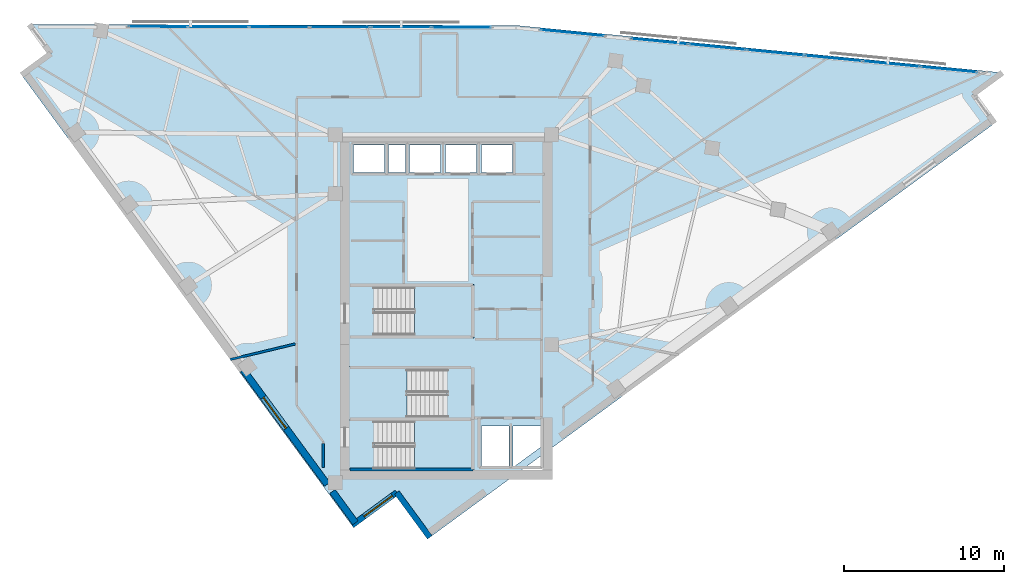
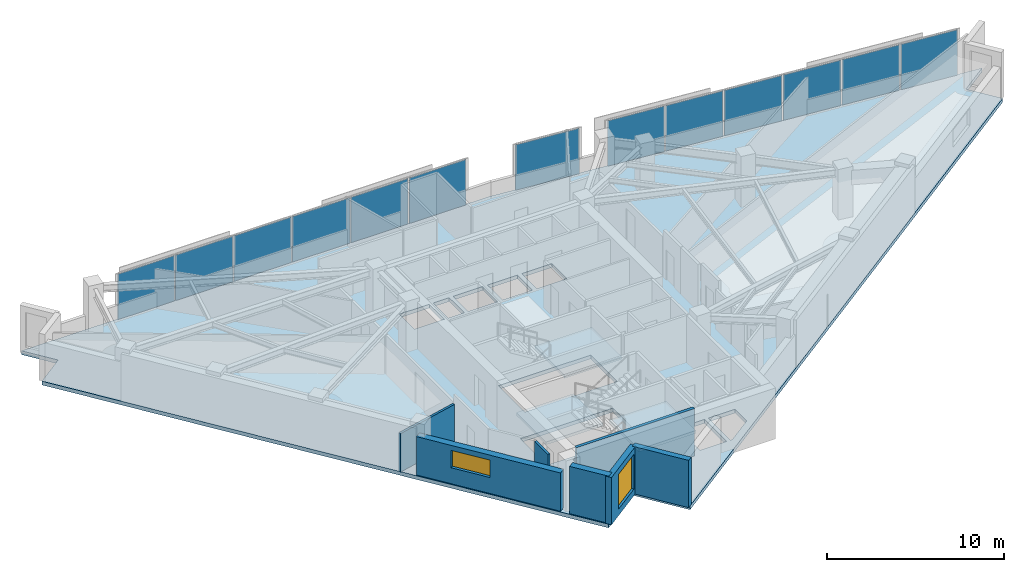
# One storey, part 7 of 14: 13 plates, 7 walls, 4 slabs, 2 windows, 2 openings, 6 elements without a shape of their own.
"""IFC4 building model written with IfcOpenShell, lengths in metres."""

from ifc_helpers import new_model, si_unit, direction, frame, frame_2d, origin, origin_2d, place, context, subcontext, project, spatial, polyline, rectangle, outline, extrude, material, layer, layer_set, type_object, element, fill, aggregate, save


model = new_model("IFC4")

# Units and contexts
model_context = context("Model", 3, precision=1e-05, world=origin(), true_north=direction((0.0, 1.0)))
body_context = subcontext(model_context, "Body", "Model", "MODEL_VIEW")
ifc_project = project(units=[si_unit("LENGTHUNIT", "METRE"), si_unit("AREAUNIT", "SQUARE_METRE"), si_unit("VOLUMEUNIT", "CUBIC_METRE"), si_unit("PLANEANGLEUNIT", "RADIAN"), si_unit("MASSUNIT", "GRAM", prefix="KILO")], contexts=[model_context])

# Site, building, storey
site_placement = place(None, origin())
site = spatial("IfcSite", under=ifc_project, at=site_placement, CompositionType="ELEMENT")
building_placement = place(site_placement, origin())
building = spatial("IfcBuilding", under=site, at=building_placement, Name="Narakoshi Arena Tower", CompositionType="ELEMENT")
storey_placement = place(building_placement, frame((0.0, 0.0, 236.10009765625)))
storey = spatial("IfcBuildingStorey", under=building, at=storey_placement, Name="L64", CompositionType="ELEMENT", Elevation=236.10009765625)

# Curtain wall, plates
ifc_material_1 = material(Name="Anodised bronze aluminium 6063-T6", Category="aluminium")
curtain_wall_type = type_object("IfcCurtainWallType", Name="CW-HYP-HIGH", PredefinedType="NOTDEFINED", material=ifc_material_1)
curtain_wall_1_placement = place(storey_placement, origin())
curtain_wall_1 = element("IfcCurtainWall", 1, at=curtain_wall_1_placement, inside=storey, type_object=curtain_wall_type, Name="L64 Folded Hypotenuse Curtain Wall 1-1", PredefinedType="NOTDEFINED")
ifc_material_2 = material(Name="Bronze-tinted low-E laminated glass", Category="glass")
ifc_layer_1 = layer(ifc_material_2, 0.0439453125)
ifc_layer_set_1 = layer_set([ifc_layer_1], Name="Bronze-tinted low-E laminated glass")
plate_type = type_object("IfcPlateType", Name="PLT-GLZ-44", PredefinedType="CURTAIN_PANEL", material=ifc_layer_set_1)
plate_1_placement = place(storey_placement, frame((110.45458984375, 60.593505859375, 0.06494140625), z_axis=(0.0, 0.0, 1.0), x_axis=(-0.995298860454, 0.096851320996, 0.0)))
plate_1 = element("IfcPlate", 2, at=plate_1_placement, type_object=plate_type, Name="CW-03 panel 1.1", PredefinedType="CURTAIN_PANEL", context=body_context, shape_type="SweptSolid", body=[
    extrude(rectangle(XDim=3.52880859375, YDim=0.0439453125, at=origin_2d()), origin(), (0.0, 0.0, 1.0), 3.1298828125),
])
plate_2_placement = place(storey_placement, frame((106.8427734375, 60.945068359375, 0.06494140625), z_axis=(0.0, 0.0, 1.0), x_axis=(-0.995298860454, 0.096851320996, 0.0)))
plate_2 = element("IfcPlate", 3, at=plate_2_placement, type_object=plate_type, Name="CW-03 panel 2.1", PredefinedType="CURTAIN_PANEL", context=body_context, shape_type="SweptSolid", body=[
    extrude(rectangle(XDim=3.568603515625, YDim=0.0439453125, at=origin_2d()), origin(), (0.0, 0.0, 1.0), 3.1298828125),
])
plate_3_placement = place(storey_placement, frame((103.211181640625, 61.29833984375, 0.06494140625), z_axis=(0.0, 0.0, 1.0), x_axis=(-0.995298860454, 0.096851320996, 0.0)))
plate_3 = element("IfcPlate", 4, at=plate_3_placement, type_object=plate_type, Name="CW-03 panel 3.1", PredefinedType="CURTAIN_PANEL", context=body_context, shape_type="SweptSolid", body=[
    extrude(rectangle(XDim=3.568603515625, YDim=0.0439453125, at=origin_2d()), origin(), (0.0, 0.0, 1.0), 3.1298828125),
])
plate_4_placement = place(storey_placement, frame((99.579833984375, 61.65185546875, 0.06494140625), z_axis=(0.0, 0.0, 1.0), x_axis=(-0.995298860454, 0.096851320996, 0.0)))
plate_4 = element("IfcPlate", 5, at=plate_4_placement, type_object=plate_type, Name="CW-03 panel 4.1", PredefinedType="CURTAIN_PANEL", context=body_context, shape_type="SweptSolid", body=[
    extrude(rectangle(XDim=3.568603515625, YDim=0.0439453125, at=origin_2d()), origin(), (0.0, 0.0, 1.0), 3.1298828125),
])
plate_5_placement = place(storey_placement, frame((95.9482421875, 62.005126953125, 0.06494140625), z_axis=(0.0, 0.0, 1.0), x_axis=(-0.995298860454, 0.096851320996, 0.0)))
plate_5 = element("IfcPlate", 6, at=plate_5_placement, type_object=plate_type, Name="CW-03 panel 5.1", PredefinedType="CURTAIN_PANEL", context=body_context, shape_type="SweptSolid", body=[
    extrude(rectangle(XDim=3.568603515625, YDim=0.0439453125, at=origin_2d()), origin(), (0.0, 0.0, 1.0), 3.1298828125),
])
plate_6_placement = place(storey_placement, frame((92.33642578125, 62.356689453125, 0.06494140625), z_axis=(0.0, 0.0, 1.0), x_axis=(-0.995298860454, 0.096851320996, 0.0)))
plate_6 = element("IfcPlate", 7, at=plate_6_placement, type_object=plate_type, Name="CW-03 panel 6.1", PredefinedType="CURTAIN_PANEL", context=body_context, shape_type="SweptSolid", body=[
    extrude(rectangle(XDim=3.52880859375, YDim=0.0439453125, at=origin_2d()), origin(), (0.0, 0.0, 1.0), 3.1298828125),
])
aggregate(curtain_wall_1, [plate_1, plate_2, plate_3, plate_4, plate_5, plate_6])

# Curtain wall, plate
curtain_wall_2_placement = place(storey_placement, origin())
curtain_wall_2 = element("IfcCurtainWall", 8, at=curtain_wall_2_placement, inside=storey, type_object=curtain_wall_type, Name="L64 Folded Hypotenuse Curtain Wall 1-2", PredefinedType="NOTDEFINED")
plate_7_placement = place(storey_placement, frame((86.862060546875, 62.889404296875, 0.06494140625), z_axis=(0.0, 0.0, 1.0), x_axis=(-0.995299683896, 0.096842858471, 0.0)))
plate_7 = element("IfcPlate", 9, at=plate_7_placement, type_object=plate_type, Name="CW-03 panel 1.1", PredefinedType="CURTAIN_PANEL", context=body_context, shape_type="SweptSolid", body=[
    extrude(rectangle(XDim=3.9560546875, YDim=0.0439453125, at=origin_2d()), origin(), (0.0, 0.0, 1.0), 3.1298828125),
])
aggregate(curtain_wall_2, [plate_7])

# Curtain wall, plates
curtain_wall_3_placement = place(storey_placement, origin())
curtain_wall_3 = element("IfcCurtainWall", 10, at=curtain_wall_3_placement, inside=storey, type_object=curtain_wall_type, Name="L64 Folded Hypotenuse Curtain Wall 2-1", PredefinedType="NOTDEFINED")
plate_8_placement = place(storey_placement, frame((79.907470703125, 63.239501953125, 0.06494140625), z_axis=(0.0, 0.0, 1.0), x_axis=(-0.999998343986, 0.001819896899, 0.0)))
plate_8 = element("IfcPlate", 11, at=plate_8_placement, type_object=plate_type, Name="CW-03 panel 1.1", PredefinedType="CURTAIN_PANEL", context=body_context, shape_type="SweptSolid", body=[
    extrude(rectangle(XDim=3.689697265625, YDim=0.0439453125, at=origin_2d()), origin(), (0.0, 0.0, 1.0), 3.1298828125),
])
plate_9_placement = place(storey_placement, frame((76.11767578125, 63.246337890625, 0.06494140625), z_axis=(0.0, 0.0, 1.0), x_axis=(-0.999998343986, 0.001819896899, 0.0)))
plate_9 = element("IfcPlate", 12, at=plate_9_placement, type_object=plate_type, Name="CW-03 panel 2.1", PredefinedType="CURTAIN_PANEL", context=body_context, shape_type="SweptSolid", body=[
    extrude(rectangle(XDim=3.729736328125, YDim=0.0439453125, at=origin_2d()), origin(), (0.0, 0.0, 1.0), 3.1298828125),
])
plate_10_placement = place(storey_placement, frame((72.307861328125, 63.25341796875, 0.06494140625), z_axis=(0.0, 0.0, 1.0), x_axis=(-0.999998343986, 0.001819896899, 0.0)))
plate_10 = element("IfcPlate", 13, at=plate_10_placement, type_object=plate_type, Name="CW-03 panel 3.1", PredefinedType="CURTAIN_PANEL", context=body_context, shape_type="SweptSolid", body=[
    extrude(rectangle(XDim=3.729736328125, YDim=0.0439453125, at=origin_2d()), origin(), (0.0, 0.0, 1.0), 3.1298828125),
])
plate_11_placement = place(storey_placement, frame((68.498291015625, 63.26025390625, 0.06494140625), z_axis=(0.0, 0.0, 1.0), x_axis=(-0.999998343986, 0.001819896899, 0.0)))
plate_11 = element("IfcPlate", 14, at=plate_11_placement, type_object=plate_type, Name="CW-03 panel 4.1", PredefinedType="CURTAIN_PANEL", context=body_context, shape_type="SweptSolid", body=[
    extrude(rectangle(XDim=3.729736328125, YDim=0.0439453125, at=origin_2d()), origin(), (0.0, 0.0, 1.0), 3.1298828125),
])
plate_12_placement = place(storey_placement, frame((64.6884765625, 63.26708984375, 0.06494140625), z_axis=(0.0, 0.0, 1.0), x_axis=(-0.999998343986, 0.001819896899, 0.0)))
plate_12 = element("IfcPlate", 15, at=plate_12_placement, type_object=plate_type, Name="CW-03 panel 5.1", PredefinedType="CURTAIN_PANEL", context=body_context, shape_type="SweptSolid", body=[
    extrude(rectangle(XDim=3.729736328125, YDim=0.0439453125, at=origin_2d()), origin(), (0.0, 0.0, 1.0), 3.1298828125),
])
plate_13_placement = place(storey_placement, frame((60.898681640625, 63.274169921875, 0.06494140625), z_axis=(0.0, 0.0, 1.0), x_axis=(-0.999998343986, 0.001819896899, 0.0)))
plate_13 = element("IfcPlate", 16, at=plate_13_placement, type_object=plate_type, Name="CW-03 panel 6.1", PredefinedType="CURTAIN_PANEL", context=body_context, shape_type="SweptSolid", body=[
    extrude(rectangle(XDim=3.689697265625, YDim=0.0439453125, at=origin_2d()), origin(), (0.0, 0.0, 1.0), 3.1298828125),
])
aggregate(curtain_wall_3, [plate_8, plate_9, plate_10, plate_11, plate_12, plate_13])

# Stair, slab
ifc_material_3 = material(Name="Concrete C45/55", Category="concrete")
stair_type = type_object("IfcStairType", Name="STR-CORE-352", PredefinedType="TWO_STRAIGHT_RUN_STAIR", material=ifc_material_3)
stair_1_placement = place(storey_placement, origin())
stair_1 = element("IfcStair", 17, at=stair_1_placement, inside=storey, type_object=stair_type, Name="L64 Core Escape Stair ST1", PredefinedType="TWO_STRAIGHT_RUN_STAIR")
ifc_layer_2 = layer(ifc_material_3, 0.18994140625)
ifc_layer_set_2 = layer_set([ifc_layer_2], Name="Concrete C45/55")
slab_type_1 = type_object("IfcSlabType", Name="SLB-LND-190", PredefinedType="LANDING", material=ifc_layer_set_2)
slab_1_placement = place(storey_placement, frame((0.0, 0.0, 1.56982421875)))
slab_1 = element("IfcSlab", 18, at=slab_1_placement, type_object=slab_type_1, Name="ST1 landing 1", PredefinedType="LANDING", context=body_context, shape_type="SweptSolid", body=[
    extrude(outline(polyline([(76.965087890625, 35.3701171875), (80.679931640625, 35.3701171875), (80.679931640625, 38.72998046875), (76.965087890625, 38.72998046875), (76.965087890625, 35.3701171875)])), origin(), (0.0, 0.0, 1.0), 0.190185546875),
])
aggregate(stair_1, [slab_1])

stair_2_placement = place(storey_placement, origin())
stair_2 = element("IfcStair", 19, at=stair_2_placement, inside=storey, type_object=stair_type, Name="L64 Core Escape Stair ST2", PredefinedType="TWO_STRAIGHT_RUN_STAIR")
slab_2_placement = place(storey_placement, frame((0.0, 0.0, 1.56982421875)))
slab_2 = element("IfcSlab", 20, at=slab_2_placement, type_object=slab_type_1, Name="ST2 landing 1", PredefinedType="LANDING", context=body_context, shape_type="SweptSolid", body=[
    extrude(outline(polyline([(72.77001953125, 38.6201171875), (76.485107421875, 38.6201171875), (76.485107421875, 41.97998046875), (72.77001953125, 41.97998046875), (72.77001953125, 38.6201171875)])), origin(), (0.0, 0.0, 1.0), 0.190185546875),
])
aggregate(stair_2, [slab_2])

stair_3_placement = place(storey_placement, origin())
stair_3 = element("IfcStair", 21, at=stair_3_placement, inside=storey, type_object=stair_type, Name="L64 Core Escape Stair ST3", PredefinedType="TWO_STRAIGHT_RUN_STAIR")
slab_3_placement = place(storey_placement, frame((0.0, 0.0, 1.56982421875)))
slab_3 = element("IfcSlab", 22, at=slab_3_placement, type_object=slab_type_1, Name="ST3 landing 1", PredefinedType="LANDING", context=body_context, shape_type="SweptSolid", body=[
    extrude(outline(polyline([(76.965087890625, 43.77001953125), (80.679931640625, 43.77001953125), (80.679931640625, 47.1298828125), (76.965087890625, 47.1298828125), (76.965087890625, 43.77001953125)])), origin(), (0.0, 0.0, 1.0), 0.190185546875),
])
aggregate(stair_3, [slab_3])

# Slab
ifc_material_4 = material(Name="Concrete C50/60", Category="concrete")
ifc_layer_3 = layer(ifc_material_4, 0.260009765625)
ifc_layer_set_3 = layer_set([ifc_layer_3], Name="Concrete C50/60")
slab_type_2 = type_object("IfcSlabType", Name="SLB-SKY-260", PredefinedType="FLOOR", material=ifc_layer_set_3)
slab_4_placement = place(storey_placement, frame((0.0, 0.0, -0.260009765625)))
element("IfcSlab", 23, at=slab_4_placement, inside=storey, type_object=slab_type_2, Name="L64 Structural Floor Slab", PredefinedType="FLOOR", context=body_context, shape_type="SweptSolid", body=[
    extrude(outline(polyline([(77.922607421875, 31.273193359375), (113.306640625, 57.218017578125), (111.96533203125, 59.047607421875), (113.794921875, 60.38916015625), (83.33251953125, 63.353271484375), (52.84521484375, 63.40869140625), (54.1865234375, 61.5791015625), (52.357177734375, 60.23779296875), (73.044189453125, 32.024169921875), (75.858642578125, 34.087890625), (77.922607421875, 31.273193359375)]), holes=[polyline([(80.5, 35.550048828125), (74.47998046875, 35.550048828125), (74.47998046875, 38.550048828125), (80.5, 38.550048828125), (80.5, 35.550048828125)]), polyline([(82.89990234375, 35.75), (81.14990234375, 35.75), (81.14990234375, 38.25), (82.89990234375, 38.25), (82.89990234375, 35.75)]), polyline([(84.89990234375, 36.947509765625), (83.266845703125, 35.75), (83.14990234375, 35.75), (83.14990234375, 38.25), (84.89990234375, 38.25), (84.89990234375, 36.947509765625)]), polyline([(72.949951171875, 38.800048828125), (72.949951171875, 41.800048828125), (78.969970703125, 41.800048828125), (78.969970703125, 38.800048828125), (72.949951171875, 38.800048828125)]), polyline([(74.47998046875, 43.949951171875), (74.47998046875, 46.949951171875), (80.5, 46.949951171875), (80.5, 43.949951171875), (74.47998046875, 43.949951171875)]), polyline([(75.10009765625, 54.14990234375), (73.14990234375, 54.14990234375), (73.14990234375, 55.85009765625), (75.10009765625, 55.85009765625), (75.10009765625, 54.14990234375)]), polyline([(76.39990234375, 54.14990234375), (75.35009765625, 54.14990234375), (75.35009765625, 55.85009765625), (76.39990234375, 55.85009765625), (76.39990234375, 54.14990234375)]), polyline([(78.60009765625, 54.14990234375), (76.64990234375, 54.14990234375), (76.64990234375, 55.85009765625), (78.60009765625, 55.85009765625), (78.60009765625, 54.14990234375)]), polyline([(78.89990234375, 54.14990234375), (78.89990234375, 55.85009765625), (80.85009765625, 55.85009765625), (80.85009765625, 54.14990234375), (78.89990234375, 54.14990234375)]), polyline([(81.14990234375, 54.14990234375), (81.14990234375, 55.85009765625), (83.10009765625, 55.85009765625), (83.10009765625, 54.14990234375), (81.14990234375, 54.14990234375)])]), origin(), (0.0, 0.0, 1.0), 0.260009765625),
])

# Wall, opening, window
ifc_material_5 = material(Name="Precast concrete C45/55", Category="concrete")
ifc_layer_4 = layer(ifc_material_5, 0.419921875)
ifc_layer_set_4 = layer_set([ifc_layer_4], Name="Precast concrete C45/55")
wall_type_1 = type_object("IfcWallType", Name="WL-POD-420", PredefinedType="SOLIDWALL", material=ifc_layer_set_4)
wall_1_placement = place(storey_placement, frame((66.232421875, 41.779296875, 0.0), z_axis=(0.0, 0.0, 1.0), x_axis=(0.591309008949, -0.806445073105, 0.0)))
wall_1 = element("IfcWall", 24, at=wall_1_placement, inside=storey, type_object=wall_type_1, Name="L64 Architectural Concrete Facade Wall LEGB-3", PredefinedType="SOLIDWALL", context=body_context, shape_type="SweptSolid", body=[
    extrude(rectangle(XDim=8.908447265625, YDim=0.419921875, at=frame_2d((4.4541015625, 0.0))), origin(), (0.0, 0.0, 1.0), 2.64501953125),
])
opening_1_placement = place(wall_1_placement, frame((2.14892578125, 0.0, 1.10009765625)))
opening_1 = element("IfcOpeningElement", 25, at=opening_1_placement, cuts=wall_1, Name="Opening WN-04", PredefinedType="OPENING", context=body_context, shape_type="SweptSolid", body=[
    extrude(rectangle(XDim=2.39990234375, YDim=1.199951171875, at=frame_2d((1.199951171875, 0.60009765625))), frame((0.0, 0.219970703125, 0.0), z_axis=(0.0, -1.0, 0.0), x_axis=(1.0, 0.0, 0.0)), (0.0, 0.0, 1.0), 0.43994140625),
])
window_type_1 = type_object("IfcWindowType", Name="WIN-SLT-24x12", PartitioningType="SINGLE_PANEL", PredefinedType="WINDOW", material=ifc_material_2)
window_1_placement = place(opening_1_placement, origin())
window_1 = element("IfcWindow", 26, at=window_1_placement, inside=storey, type_object=window_type_1, Name="L64 LEGB3 Horizontal Slot Window 1", OverallHeight=1.199951171875, OverallWidth=2.39990234375, PartitioningType="SINGLE_PANEL", PredefinedType="WINDOW", context=body_context, shape_type="SweptSolid", body=[
    extrude(rectangle(XDim=2.39990234375, YDim=1.199951171875, at=frame_2d((1.199951171875, 0.60009765625))), frame((0.0, 0.030029296875, 0.0), z_axis=(0.0, -1.0, 0.0), x_axis=(1.0, 0.0, 0.0)), (0.0, 0.0, 1.0), 0.06005859375),
])
fill(opening_1, window_1)

# Wall
wall_2_placement = place(storey_placement, frame((71.826416015625, 34.14990234375, 0.0), z_axis=(0.0, 0.0, 1.0), x_axis=(0.591315835946, -0.806440067308, 0.0)))
element("IfcWall", 27, at=wall_2_placement, inside=storey, type_object=wall_type_1, Name="L64 Architectural Concrete Facade Wall LEGB-4", PredefinedType="SOLIDWALL", context=body_context, shape_type="SweptSolid", body=[
    extrude(rectangle(XDim=2.434326171875, YDim=0.419921875, at=frame_2d((1.21728515625, 0.0))), origin(), (0.0, 0.0, 1.0), 3.260009765625),
])

# Wall, opening, window
wall_3_placement = place(storey_placement, frame((73.044189453125, 32.024169921875, 0.0), z_axis=(0.0, 0.0, 1.0), x_axis=(0.806433906667, 0.591324237774, 0.0)))
wall_3 = element("IfcWall", 28, at=wall_3_placement, inside=storey, type_object=wall_type_1, Name="L64 Re-Entrant Corner Notch Wall NTA-1", PredefinedType="SOLIDWALL", context=body_context, shape_type="SweptSolid", body=[
    extrude(rectangle(XDim=3.489990234375, YDim=0.360107421875, at=frame_2d((1.7451171875, 0.0))), origin(), (0.0, 0.0, 1.0), 3.260009765625),
])
opening_2_placement = place(wall_3_placement, frame((0.9501953125, 0.0, 0.449951171875)))
opening_2 = element("IfcOpeningElement", 29, at=opening_2_placement, cuts=wall_3, Name="Opening WN-07", PredefinedType="OPENING", context=body_context, shape_type="SweptSolid", body=[
    extrude(rectangle(XDim=2.199951171875, YDim=2.39990234375, at=frame_2d((1.10009765625, 1.199951171875))), frame((0.0, 0.18994140625, 0.0), z_axis=(0.0, -1.0, 0.0), x_axis=(1.0, 0.0, 0.0)), (0.0, 0.0, 1.0), 0.380126953125),
])
window_type_2 = type_object("IfcWindowType", Name="WIN-NTC-22x24", PartitioningType="SINGLE_PANEL", PredefinedType="WINDOW", material=ifc_material_2)
window_2_placement = place(opening_2_placement, origin())
window_2 = element("IfcWindow", 30, at=window_2_placement, inside=storey, type_object=window_type_2, Name="L64 Corner Notch Window NTA", OverallHeight=2.39990234375, OverallWidth=2.199951171875, PartitioningType="SINGLE_PANEL", PredefinedType="WINDOW", context=body_context, shape_type="SweptSolid", body=[
    extrude(rectangle(XDim=2.199951171875, YDim=2.39990234375, at=frame_2d((1.10009765625, 1.199951171875))), frame((0.0, 0.030029296875, 0.0), z_axis=(0.0, -1.0, 0.0), x_axis=(1.0, 0.0, 0.0)), (0.0, 0.0, 1.0), 0.06005859375),
])
fill(opening_2, window_2)

# Walls
wall_4_placement = place(storey_placement, frame((75.858642578125, 34.087890625, 0.0), z_axis=(0.0, 0.0, 1.0), x_axis=(0.591336371625, -0.806425009281, 0.0)))
element("IfcWall", 31, at=wall_4_placement, inside=storey, type_object=wall_type_1, Name="L64 Re-Entrant Corner Notch Wall NTA-2", PredefinedType="SOLIDWALL", context=body_context, shape_type="SweptSolid", body=[
    extrude(rectangle(XDim=3.490234375, YDim=0.360107421875, at=frame_2d((1.7451171875, 0.0))), origin(), (0.0, 0.0, 1.0), 3.260009765625),
])
ifc_layer_5 = layer(ifc_material_4, 0.35009765625)
ifc_layer_set_5 = layer_set([ifc_layer_5], Name="Concrete C50/60")
wall_type_2 = type_object("IfcWallType", Name="WL-SHAFT-350", PredefinedType="SOLIDWALL", material=ifc_layer_set_5)
wall_5_placement = place(storey_placement, frame((72.919921875, 35.52001953125, -0.260009765625), z_axis=(0.0, 0.0, 1.0), x_axis=(1.0, 0.0, 0.0)))
element("IfcWall", 32, at=wall_5_placement, inside=storey, type_object=wall_type_2, Name="L64 Core Wall ST1-S", PredefinedType="SOLIDWALL", context=body_context, shape_type="SweptSolid", body=[
    extrude(rectangle(XDim=7.7001953125, YDim=0.199951171875, at=frame_2d((3.85009765625, 0.0))), origin(), (0.0, 0.0, 1.0), 3.52001953125),
])
ifc_material_6 = material(Name="Moisture-resistant cement-board partition")
ifc_layer_6 = layer(ifc_material_6, 0.14501953125)
ifc_layer_set_6 = layer_set([ifc_layer_6], Name="Moisture-resistant cement-board partition")
wall_type_3 = type_object("IfcWallType", Name="WL-WET-145", PredefinedType="PARTITIONING", material=ifc_layer_set_6)
wall_6_placement = place(storey_placement, frame((65.423095703125, 42.417724609375, 0.0), z_axis=(0.0, 0.0, 1.0), x_axis=(0.972477530302, 0.232996680358, 0.0)))
element("IfcWall", 33, at=wall_6_placement, inside=storey, type_object=wall_type_3, Name="L64 Inter-Room Partition 01-09", PredefinedType="PARTITIONING", context=body_context, shape_type="SweptSolid", body=[
    extrude(rectangle(XDim=4.196533203125, YDim=0.14501953125, at=frame_2d((2.09814453125, 0.0))), origin(), (0.0, 0.0, 1.0), 2.64501953125),
])
wall_7_placement = place(storey_placement, frame((71.25, 37.159912109375, 0.0), z_axis=(0.0, 0.0, 1.0), x_axis=(0.0, -1.0, 0.0)))
element("IfcWall", 34, at=wall_7_placement, inside=storey, type_object=wall_type_3, Name="L64 Room Enclosure Partition 01-1", PredefinedType="PARTITIONING", context=body_context, shape_type="SweptSolid", body=[
    extrude(rectangle(XDim=1.49658203125, YDim=0.14501953125, at=frame_2d((0.748291015625, 0.0))), origin(), (0.0, 0.0, 1.0), 3.260009765625),
])

save(model, "model.ifc")
